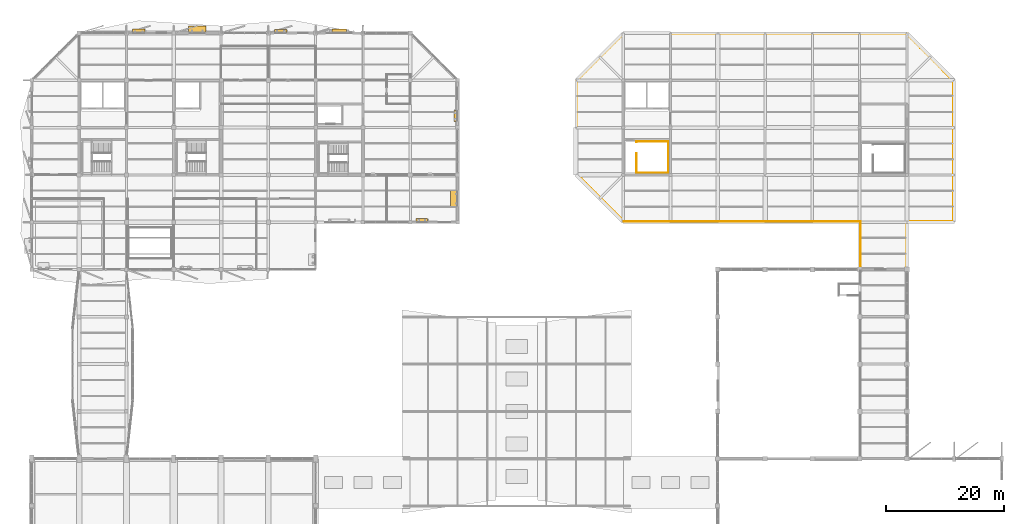
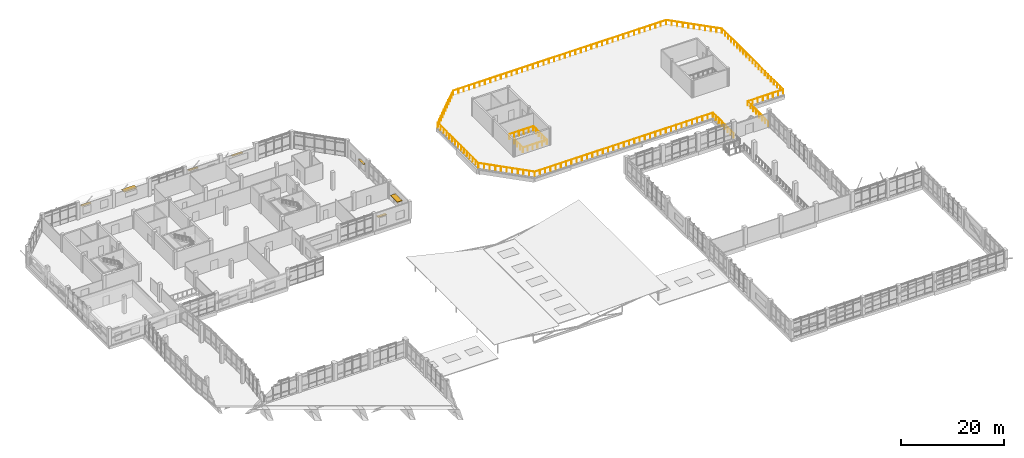
# One storey, part 83 of 84: 7 shading devices, 4 railings.
"""IFC4 building model written with IfcOpenShell, lengths in metres."""

from ifc_helpers import new_model, si_unit, direction, frame, origin, origin_2d, place, context, subcontext, project, spatial, rectangle, circle, extrude, material, layer, layer_set, type_object, element, save


model = new_model("IFC4")

# Units and contexts
model_context = context("Model", 3, precision=1e-05, world=origin(), true_north=direction((0.0, 1.0)))
body_context = subcontext(model_context, "Body", "Model", "MODEL_VIEW")
ifc_project = project(units=[si_unit("LENGTHUNIT", "METRE"), si_unit("AREAUNIT", "SQUARE_METRE"), si_unit("VOLUMEUNIT", "CUBIC_METRE"), si_unit("PLANEANGLEUNIT", "RADIAN"), si_unit("MASSUNIT", "GRAM", prefix="KILO")], contexts=[model_context])

# Site, building, storey
site_placement = place(None, origin())
site = spatial("IfcSite", under=ifc_project, at=site_placement, CompositionType="ELEMENT")
building_placement = place(site_placement, origin())
building = spatial("IfcBuilding", under=site, at=building_placement, Name="Tenunan Teduh Sports Hall", CompositionType="ELEMENT")
storey_placement = place(building_placement, frame((0.0, 0.0, 10.800048828125)))
storey = spatial("IfcBuildingStorey", under=building, at=storey_placement, Name="L02", CompositionType="ELEMENT", Elevation=10.800048828125)

# Railings
ifc_material_1 = material(Name="Galvanised and powder-coated steel", Category="steel")
ifc_layer = layer(ifc_material_1, 0.070068359375)
ifc_layer_set = layer_set([ifc_layer], Name="Galvanised and powder-coated steel")
railing_type = type_object("IfcRailingType", Name="RLG-EXT-GRD", PredefinedType="GUARDRAIL", material=ifc_layer_set)
railing_1_placement = place(storey_placement, frame((106.139892578125, 86.139892578125, 0.0)))
element("IfcRailing", 1, at=railing_1_placement, inside=storey, type_object=railing_type, Name="RLG-L02-V5E-TERR-1", PredefinedType="GUARDRAIL", context=body_context, shape_type="SweptSolid", body=[
    extrude(circle(Radius=0.02392578125, at=origin_2d()), frame((0.0, 0.0, 1.09619140625), z_axis=(1.0, 0.0, 0.0), x_axis=(0.0, 1.0, 0.0)), (0.0, 0.0, 1.0), 39.980224609375),
    extrude(circle(Radius=0.02392578125, at=origin_2d()), frame((39.980224609375, 0.0, 1.09619140625), z_axis=(0.0, -1.0, 0.0), x_axis=(1.0, 0.0, 0.0)), (0.0, 0.0, 1.0), 8.0),
    extrude(circle(Radius=0.02099609375, at=origin_2d()), origin(), (0.0, 0.0, 1.0), 1.072021484375),
    extrude(circle(Radius=0.02099609375, at=origin_2d()), frame((1.17578125, 0.0, 0.0)), (0.0, 0.0, 1.0), 1.072021484375),
    extrude(circle(Radius=0.02099609375, at=origin_2d()), frame((2.351806640625, 0.0, 0.0)), (0.0, 0.0, 1.0), 1.072021484375),
    extrude(circle(Radius=0.02099609375, at=origin_2d()), frame((3.527587890625, 0.0, 0.0)), (0.0, 0.0, 1.0), 1.072021484375),
    extrude(circle(Radius=0.02099609375, at=origin_2d()), frame((4.70361328125, 0.0, 0.0)), (0.0, 0.0, 1.0), 1.072021484375),
    extrude(circle(Radius=0.02099609375, at=origin_2d()), frame((5.87939453125, 0.0, 0.0)), (0.0, 0.0, 1.0), 1.072021484375),
    extrude(circle(Radius=0.02099609375, at=origin_2d()), frame((7.055419921875, 0.0, 0.0)), (0.0, 0.0, 1.0), 1.072021484375),
    extrude(circle(Radius=0.02099609375, at=origin_2d()), frame((8.231201171875, 0.0, 0.0)), (0.0, 0.0, 1.0), 1.072021484375),
    extrude(circle(Radius=0.02099609375, at=origin_2d()), frame((9.4072265625, 0.0, 0.0)), (0.0, 0.0, 1.0), 1.072021484375),
    extrude(circle(Radius=0.02099609375, at=origin_2d()), frame((10.5830078125, 0.0, 0.0)), (0.0, 0.0, 1.0), 1.072021484375),
    extrude(circle(Radius=0.02099609375, at=origin_2d()), frame((11.7587890625, 0.0, 0.0)), (0.0, 0.0, 1.0), 1.072021484375),
    extrude(circle(Radius=0.02099609375, at=origin_2d()), frame((12.934814453125, 0.0, 0.0)), (0.0, 0.0, 1.0), 1.072021484375),
    extrude(circle(Radius=0.02099609375, at=origin_2d()), frame((14.110595703125, 0.0, 0.0)), (0.0, 0.0, 1.0), 1.072021484375),
    extrude(circle(Radius=0.02099609375, at=origin_2d()), frame((15.28662109375, 0.0, 0.0)), (0.0, 0.0, 1.0), 1.072021484375),
    extrude(circle(Radius=0.02099609375, at=origin_2d()), frame((16.46240234375, 0.0, 0.0)), (0.0, 0.0, 1.0), 1.072021484375),
    extrude(circle(Radius=0.02099609375, at=origin_2d()), frame((17.638427734375, 0.0, 0.0)), (0.0, 0.0, 1.0), 1.072021484375),
    extrude(circle(Radius=0.02099609375, at=origin_2d()), frame((18.814208984375, 0.0, 0.0)), (0.0, 0.0, 1.0), 1.072021484375),
    extrude(circle(Radius=0.02099609375, at=origin_2d()), frame((19.990234375, 0.0, 0.0)), (0.0, 0.0, 1.0), 1.072021484375),
    extrude(circle(Radius=0.02099609375, at=origin_2d()), frame((21.166015625, 0.0, 0.0)), (0.0, 0.0, 1.0), 1.072021484375),
    extrude(circle(Radius=0.02099609375, at=origin_2d()), frame((22.341796875, 0.0, 0.0)), (0.0, 0.0, 1.0), 1.072021484375),
    extrude(circle(Radius=0.02099609375, at=origin_2d()), frame((23.517822265625, 0.0, 0.0)), (0.0, 0.0, 1.0), 1.072021484375),
    extrude(circle(Radius=0.02099609375, at=origin_2d()), frame((24.693603515625, 0.0, 0.0)), (0.0, 0.0, 1.0), 1.072021484375),
    extrude(circle(Radius=0.02099609375, at=origin_2d()), frame((25.86962890625, 0.0, 0.0)), (0.0, 0.0, 1.0), 1.072021484375),
    extrude(circle(Radius=0.02099609375, at=origin_2d()), frame((27.04541015625, 0.0, 0.0)), (0.0, 0.0, 1.0), 1.072021484375),
    extrude(circle(Radius=0.02099609375, at=origin_2d()), frame((28.221435546875, 0.0, 0.0)), (0.0, 0.0, 1.0), 1.072021484375),
    extrude(circle(Radius=0.02099609375, at=origin_2d()), frame((29.397216796875, 0.0, 0.0)), (0.0, 0.0, 1.0), 1.072021484375),
    extrude(circle(Radius=0.02099609375, at=origin_2d()), frame((30.572998046875, 0.0, 0.0)), (0.0, 0.0, 1.0), 1.072021484375),
    extrude(circle(Radius=0.02099609375, at=origin_2d()), frame((31.7490234375, 0.0, 0.0)), (0.0, 0.0, 1.0), 1.072021484375),
    extrude(circle(Radius=0.02099609375, at=origin_2d()), frame((32.9248046875, 0.0, 0.0)), (0.0, 0.0, 1.0), 1.072021484375),
    extrude(circle(Radius=0.02099609375, at=origin_2d()), frame((34.100830078125, 0.0, 0.0)), (0.0, 0.0, 1.0), 1.072021484375),
    extrude(circle(Radius=0.02099609375, at=origin_2d()), frame((35.276611328125, 0.0, 0.0)), (0.0, 0.0, 1.0), 1.072021484375),
    extrude(circle(Radius=0.02099609375, at=origin_2d()), frame((36.45263671875, 0.0, 0.0)), (0.0, 0.0, 1.0), 1.072021484375),
    extrude(circle(Radius=0.02099609375, at=origin_2d()), frame((37.62841796875, 0.0, 0.0)), (0.0, 0.0, 1.0), 1.072021484375),
    extrude(circle(Radius=0.02099609375, at=origin_2d()), frame((38.804443359375, 0.0, 0.0)), (0.0, 0.0, 1.0), 1.072021484375),
    extrude(circle(Radius=0.02099609375, at=origin_2d()), frame((39.980224609375, 0.0, 0.0)), (0.0, 0.0, 1.0), 1.072021484375),
    extrude(circle(Radius=0.02099609375, at=origin_2d()), frame((39.980224609375, -1.142822265625, 0.0)), (0.0, 0.0, 1.0), 1.072021484375),
    extrude(circle(Radius=0.02099609375, at=origin_2d()), frame((39.980224609375, -2.28564453125, 0.0)), (0.0, 0.0, 1.0), 1.072021484375),
    extrude(circle(Radius=0.02099609375, at=origin_2d()), frame((39.980224609375, -3.428466796875, 0.0)), (0.0, 0.0, 1.0), 1.072021484375),
    extrude(circle(Radius=0.02099609375, at=origin_2d()), frame((39.980224609375, -4.571533203125, 0.0)), (0.0, 0.0, 1.0), 1.072021484375),
    extrude(circle(Radius=0.02099609375, at=origin_2d()), frame((39.980224609375, -5.71435546875, 0.0)), (0.0, 0.0, 1.0), 1.072021484375),
    extrude(circle(Radius=0.02099609375, at=origin_2d()), frame((39.980224609375, -6.857177734375, 0.0)), (0.0, 0.0, 1.0), 1.072021484375),
    extrude(circle(Radius=0.02099609375, at=origin_2d()), frame((39.980224609375, -8.0, 0.0)), (0.0, 0.0, 1.0), 1.072021484375),
])
railing_2_placement = place(storey_placement, frame((153.8798828125, 78.139892578125, 0.0)))
element("IfcRailing", 2, at=railing_2_placement, inside=storey, type_object=railing_type, Name="RLG-L02-V5E-TERR-2", PredefinedType="GUARDRAIL", context=body_context, shape_type="SweptSolid", body=[
    extrude(circle(Radius=0.02392578125, at=origin_2d()), frame((0.0, 0.0, 1.09619140625), z_axis=(0.0, 1.0, 0.0), x_axis=(-1.0, 0.0, 0.0)), (0.0, 0.0, 1.0), 8.0),
    extrude(circle(Radius=0.02392578125, at=origin_2d()), frame((0.0, 8.0, 1.09619140625), z_axis=(1.0, 0.0, 0.0), x_axis=(0.0, 1.0, 0.0)), (0.0, 0.0, 1.0), 7.980224609375),
    extrude(circle(Radius=0.02392578125, at=origin_2d()), frame((7.980224609375, 8.0, 1.09619140625), z_axis=(0.0, 1.0, 0.0), x_axis=(-1.0, 0.0, 0.0)), (0.0, 0.0, 1.0), 23.760009765625),
    extrude(circle(Radius=0.02392578125, at=origin_2d()), frame((7.980224609375, 31.760009765625, 1.09619140625), z_axis=(-0.707106781187, 0.707106781187, 0.0), x_axis=(-0.707106781187, -0.707106781187, 0.0)), (0.0, 0.0, 1.0), 11.25732421875),
    extrude(circle(Radius=0.02392578125, at=origin_2d()), frame((0.02001953125, 39.72021484375, 1.09619140625), z_axis=(-1.0, 0.0, 0.0), x_axis=(0.0, -1.0, 0.0)), (0.0, 0.0, 1.0), 47.760009765625),
    extrude(circle(Radius=0.02392578125, at=origin_2d()), frame((-47.739990234375, 39.72021484375, 1.09619140625), z_axis=(-0.708867666506, -0.70534149983, 0.0), x_axis=(0.70534149983, -0.708867666506, 0.0)), (0.0, 0.0, 1.0), 11.28564453125),
    extrude(circle(Radius=0.02392578125, at=origin_2d()), frame((-55.739990234375, 31.760009765625, 1.09619140625), z_axis=(0.0, -1.0, 0.0), x_axis=(1.0, 0.0, 0.0)), (0.0, 0.0, 1.0), 15.760009765625),
    extrude(circle(Radius=0.02392578125, at=origin_2d()), frame((-55.739990234375, 16.0, 1.09619140625), z_axis=(0.707106781187, -0.707106781187, 0.0), x_axis=(0.707106781187, 0.707106781187, 0.0)), (0.0, 0.0, 1.0), 11.313720703125),
    extrude(circle(Radius=0.02099609375, at=origin_2d()), origin(), (0.0, 0.0, 1.0), 1.072021484375),
    extrude(circle(Radius=0.02099609375, at=origin_2d()), frame((0.0, 1.142822265625, 0.0)), (0.0, 0.0, 1.0), 1.072021484375),
    extrude(circle(Radius=0.02099609375, at=origin_2d()), frame((0.0, 2.28564453125, 0.0)), (0.0, 0.0, 1.0), 1.072021484375),
    extrude(circle(Radius=0.02099609375, at=origin_2d()), frame((0.0, 3.428466796875, 0.0)), (0.0, 0.0, 1.0), 1.072021484375),
    extrude(circle(Radius=0.02099609375, at=origin_2d()), frame((0.0, 4.571533203125, 0.0)), (0.0, 0.0, 1.0), 1.072021484375),
    extrude(circle(Radius=0.02099609375, at=origin_2d()), frame((0.0, 5.71435546875, 0.0)), (0.0, 0.0, 1.0), 1.072021484375),
    extrude(circle(Radius=0.02099609375, at=origin_2d()), frame((0.0, 6.857177734375, 0.0)), (0.0, 0.0, 1.0), 1.072021484375),
    extrude(circle(Radius=0.02099609375, at=origin_2d()), frame((0.0, 8.0, 0.0)), (0.0, 0.0, 1.0), 1.072021484375),
    extrude(circle(Radius=0.02099609375, at=origin_2d()), frame((1.14013671875, 8.0, 0.0)), (0.0, 0.0, 1.0), 1.072021484375),
    extrude(circle(Radius=0.02099609375, at=origin_2d()), frame((2.280029296875, 8.0, 0.0)), (0.0, 0.0, 1.0), 1.072021484375),
    extrude(circle(Radius=0.02099609375, at=origin_2d()), frame((3.420166015625, 8.0, 0.0)), (0.0, 0.0, 1.0), 1.072021484375),
    extrude(circle(Radius=0.02099609375, at=origin_2d()), frame((4.56005859375, 8.0, 0.0)), (0.0, 0.0, 1.0), 1.072021484375),
    extrude(circle(Radius=0.02099609375, at=origin_2d()), frame((5.7001953125, 8.0, 0.0)), (0.0, 0.0, 1.0), 1.072021484375),
    extrude(circle(Radius=0.02099609375, at=origin_2d()), frame((6.840087890625, 8.0, 0.0)), (0.0, 0.0, 1.0), 1.072021484375),
    extrude(circle(Radius=0.02099609375, at=origin_2d()), frame((7.980224609375, 8.0, 0.0)), (0.0, 0.0, 1.0), 1.072021484375),
    extrude(circle(Radius=0.02099609375, at=origin_2d()), frame((7.980224609375, 9.18798828125, 0.0)), (0.0, 0.0, 1.0), 1.072021484375),
    extrude(circle(Radius=0.02099609375, at=origin_2d()), frame((7.980224609375, 10.3759765625, 0.0)), (0.0, 0.0, 1.0), 1.072021484375),
    extrude(circle(Radius=0.02099609375, at=origin_2d()), frame((7.980224609375, 11.56396484375, 0.0)), (0.0, 0.0, 1.0), 1.072021484375),
    extrude(circle(Radius=0.02099609375, at=origin_2d()), frame((7.980224609375, 12.751953125, 0.0)), (0.0, 0.0, 1.0), 1.072021484375),
    extrude(circle(Radius=0.02099609375, at=origin_2d()), frame((7.980224609375, 13.93994140625, 0.0)), (0.0, 0.0, 1.0), 1.072021484375),
    extrude(circle(Radius=0.02099609375, at=origin_2d()), frame((7.980224609375, 15.1279296875, 0.0)), (0.0, 0.0, 1.0), 1.072021484375),
    extrude(circle(Radius=0.02099609375, at=origin_2d()), frame((7.980224609375, 16.31591796875, 0.0)), (0.0, 0.0, 1.0), 1.072021484375),
    extrude(circle(Radius=0.02099609375, at=origin_2d()), frame((7.980224609375, 17.50390625, 0.0)), (0.0, 0.0, 1.0), 1.072021484375),
    extrude(circle(Radius=0.02099609375, at=origin_2d()), frame((7.980224609375, 18.69189453125, 0.0)), (0.0, 0.0, 1.0), 1.072021484375),
    extrude(circle(Radius=0.02099609375, at=origin_2d()), frame((7.980224609375, 19.8798828125, 0.0)), (0.0, 0.0, 1.0), 1.072021484375),
    extrude(circle(Radius=0.02099609375, at=origin_2d()), frame((7.980224609375, 21.068115234375, 0.0)), (0.0, 0.0, 1.0), 1.072021484375),
    extrude(circle(Radius=0.02099609375, at=origin_2d()), frame((7.980224609375, 22.256103515625, 0.0)), (0.0, 0.0, 1.0), 1.072021484375),
    extrude(circle(Radius=0.02099609375, at=origin_2d()), frame((7.980224609375, 23.444091796875, 0.0)), (0.0, 0.0, 1.0), 1.072021484375),
    extrude(circle(Radius=0.02099609375, at=origin_2d()), frame((7.980224609375, 24.632080078125, 0.0)), (0.0, 0.0, 1.0), 1.072021484375),
    extrude(circle(Radius=0.02099609375, at=origin_2d()), frame((7.980224609375, 25.820068359375, 0.0)), (0.0, 0.0, 1.0), 1.072021484375),
    extrude(circle(Radius=0.02099609375, at=origin_2d()), frame((7.980224609375, 27.008056640625, 0.0)), (0.0, 0.0, 1.0), 1.072021484375),
    extrude(circle(Radius=0.02099609375, at=origin_2d()), frame((7.980224609375, 28.196044921875, 0.0)), (0.0, 0.0, 1.0), 1.072021484375),
    extrude(circle(Radius=0.02099609375, at=origin_2d()), frame((7.980224609375, 29.384033203125, 0.0)), (0.0, 0.0, 1.0), 1.072021484375),
    extrude(circle(Radius=0.02099609375, at=origin_2d()), frame((7.980224609375, 30.572021484375, 0.0)), (0.0, 0.0, 1.0), 1.072021484375),
    extrude(circle(Radius=0.02099609375, at=origin_2d()), frame((7.980224609375, 31.760009765625, 0.0)), (0.0, 0.0, 1.0), 1.072021484375),
    extrude(circle(Radius=0.02099609375, at=origin_2d()), frame((7.18408203125, 32.55615234375, 0.0)), (0.0, 0.0, 1.0), 1.072021484375),
    extrude(circle(Radius=0.02099609375, at=origin_2d()), frame((6.38818359375, 33.35205078125, 0.0)), (0.0, 0.0, 1.0), 1.072021484375),
    extrude(circle(Radius=0.02099609375, at=origin_2d()), frame((5.59228515625, 34.14794921875, 0.0)), (0.0, 0.0, 1.0), 1.072021484375),
    extrude(circle(Radius=0.02099609375, at=origin_2d()), frame((4.796142578125, 34.944091796875, 0.0)), (0.0, 0.0, 1.0), 1.072021484375),
    extrude(circle(Radius=0.02099609375, at=origin_2d()), frame((4.0, 35.740234375, 0.0)), (0.0, 0.0, 1.0), 1.072021484375),
    extrude(circle(Radius=0.02099609375, at=origin_2d()), frame((3.2041015625, 36.5361328125, 0.0)), (0.0, 0.0, 1.0), 1.072021484375),
    extrude(circle(Radius=0.02099609375, at=origin_2d()), frame((2.408203125, 37.33203125, 0.0)), (0.0, 0.0, 1.0), 1.072021484375),
    extrude(circle(Radius=0.02099609375, at=origin_2d()), frame((1.612060546875, 38.128173828125, 0.0)), (0.0, 0.0, 1.0), 1.072021484375),
    extrude(circle(Radius=0.02099609375, at=origin_2d()), frame((0.81591796875, 38.92431640625, 0.0)), (0.0, 0.0, 1.0), 1.072021484375),
    extrude(circle(Radius=0.02099609375, at=origin_2d()), frame((0.02001953125, 39.72021484375, 0.0)), (0.0, 0.0, 1.0), 1.072021484375),
    extrude(circle(Radius=0.02099609375, at=origin_2d()), frame((-1.174072265625, 39.72021484375, 0.0)), (0.0, 0.0, 1.0), 1.072021484375),
    extrude(circle(Radius=0.02099609375, at=origin_2d()), frame((-2.367919921875, 39.72021484375, 0.0)), (0.0, 0.0, 1.0), 1.072021484375),
    extrude(circle(Radius=0.02099609375, at=origin_2d()), frame((-3.56201171875, 39.72021484375, 0.0)), (0.0, 0.0, 1.0), 1.072021484375),
    extrude(circle(Radius=0.02099609375, at=origin_2d()), frame((-4.755859375, 39.72021484375, 0.0)), (0.0, 0.0, 1.0), 1.072021484375),
    extrude(circle(Radius=0.02099609375, at=origin_2d()), frame((-5.949951171875, 39.72021484375, 0.0)), (0.0, 0.0, 1.0), 1.072021484375),
    extrude(circle(Radius=0.02099609375, at=origin_2d()), frame((-7.14404296875, 39.72021484375, 0.0)), (0.0, 0.0, 1.0), 1.072021484375),
    extrude(circle(Radius=0.02099609375, at=origin_2d()), frame((-8.337890625, 39.72021484375, 0.0)), (0.0, 0.0, 1.0), 1.072021484375),
    extrude(circle(Radius=0.02099609375, at=origin_2d()), frame((-9.531982421875, 39.72021484375, 0.0)), (0.0, 0.0, 1.0), 1.072021484375),
    extrude(circle(Radius=0.02099609375, at=origin_2d()), frame((-10.72607421875, 39.72021484375, 0.0)), (0.0, 0.0, 1.0), 1.072021484375),
    extrude(circle(Radius=0.02099609375, at=origin_2d()), frame((-11.919921875, 39.72021484375, 0.0)), (0.0, 0.0, 1.0), 1.072021484375),
    extrude(circle(Radius=0.02099609375, at=origin_2d()), frame((-13.114013671875, 39.72021484375, 0.0)), (0.0, 0.0, 1.0), 1.072021484375),
    extrude(circle(Radius=0.02099609375, at=origin_2d()), frame((-14.30810546875, 39.72021484375, 0.0)), (0.0, 0.0, 1.0), 1.072021484375),
    extrude(circle(Radius=0.02099609375, at=origin_2d()), frame((-15.501953125, 39.72021484375, 0.0)), (0.0, 0.0, 1.0), 1.072021484375),
    extrude(circle(Radius=0.02099609375, at=origin_2d()), frame((-16.696044921875, 39.72021484375, 0.0)), (0.0, 0.0, 1.0), 1.072021484375),
    extrude(circle(Radius=0.02099609375, at=origin_2d()), frame((-17.889892578125, 39.72021484375, 0.0)), (0.0, 0.0, 1.0), 1.072021484375),
    extrude(circle(Radius=0.02099609375, at=origin_2d()), frame((-19.083984375, 39.72021484375, 0.0)), (0.0, 0.0, 1.0), 1.072021484375),
    extrude(circle(Radius=0.02099609375, at=origin_2d()), frame((-20.278076171875, 39.72021484375, 0.0)), (0.0, 0.0, 1.0), 1.072021484375),
    extrude(circle(Radius=0.02099609375, at=origin_2d()), frame((-21.471923828125, 39.72021484375, 0.0)), (0.0, 0.0, 1.0), 1.072021484375),
    extrude(circle(Radius=0.02099609375, at=origin_2d()), frame((-22.666015625, 39.72021484375, 0.0)), (0.0, 0.0, 1.0), 1.072021484375),
    extrude(circle(Radius=0.02099609375, at=origin_2d()), frame((-23.85986328125, 39.72021484375, 0.0)), (0.0, 0.0, 1.0), 1.072021484375),
    extrude(circle(Radius=0.02099609375, at=origin_2d()), frame((-25.053955078125, 39.72021484375, 0.0)), (0.0, 0.0, 1.0), 1.072021484375),
    extrude(circle(Radius=0.02099609375, at=origin_2d()), frame((-26.248046875, 39.72021484375, 0.0)), (0.0, 0.0, 1.0), 1.072021484375),
    extrude(circle(Radius=0.02099609375, at=origin_2d()), frame((-27.44189453125, 39.72021484375, 0.0)), (0.0, 0.0, 1.0), 1.072021484375),
    extrude(circle(Radius=0.02099609375, at=origin_2d()), frame((-28.635986328125, 39.72021484375, 0.0)), (0.0, 0.0, 1.0), 1.072021484375),
    extrude(circle(Radius=0.02099609375, at=origin_2d()), frame((-29.830078125, 39.72021484375, 0.0)), (0.0, 0.0, 1.0), 1.072021484375),
    extrude(circle(Radius=0.02099609375, at=origin_2d()), frame((-31.02392578125, 39.72021484375, 0.0)), (0.0, 0.0, 1.0), 1.072021484375),
    extrude(circle(Radius=0.02099609375, at=origin_2d()), frame((-32.218017578125, 39.72021484375, 0.0)), (0.0, 0.0, 1.0), 1.072021484375),
    extrude(circle(Radius=0.02099609375, at=origin_2d()), frame((-33.412109375, 39.72021484375, 0.0)), (0.0, 0.0, 1.0), 1.072021484375),
    extrude(circle(Radius=0.02099609375, at=origin_2d()), frame((-34.60595703125, 39.72021484375, 0.0)), (0.0, 0.0, 1.0), 1.072021484375),
    extrude(circle(Radius=0.02099609375, at=origin_2d()), frame((-35.800048828125, 39.72021484375, 0.0)), (0.0, 0.0, 1.0), 1.072021484375),
    extrude(circle(Radius=0.02099609375, at=origin_2d()), frame((-36.993896484375, 39.72021484375, 0.0)), (0.0, 0.0, 1.0), 1.072021484375),
    extrude(circle(Radius=0.02099609375, at=origin_2d()), frame((-38.18798828125, 39.72021484375, 0.0)), (0.0, 0.0, 1.0), 1.072021484375),
    extrude(circle(Radius=0.02099609375, at=origin_2d()), frame((-39.382080078125, 39.72021484375, 0.0)), (0.0, 0.0, 1.0), 1.072021484375),
    extrude(circle(Radius=0.02099609375, at=origin_2d()), frame((-40.575927734375, 39.72021484375, 0.0)), (0.0, 0.0, 1.0), 1.072021484375),
    extrude(circle(Radius=0.02099609375, at=origin_2d()), frame((-41.77001953125, 39.72021484375, 0.0)), (0.0, 0.0, 1.0), 1.072021484375),
    extrude(circle(Radius=0.02099609375, at=origin_2d()), frame((-42.9638671875, 39.72021484375, 0.0)), (0.0, 0.0, 1.0), 1.072021484375),
    extrude(circle(Radius=0.02099609375, at=origin_2d()), frame((-44.157958984375, 39.72021484375, 0.0)), (0.0, 0.0, 1.0), 1.072021484375),
    extrude(circle(Radius=0.02099609375, at=origin_2d()), frame((-45.35205078125, 39.72021484375, 0.0)), (0.0, 0.0, 1.0), 1.072021484375),
    extrude(circle(Radius=0.02099609375, at=origin_2d()), frame((-46.5458984375, 39.72021484375, 0.0)), (0.0, 0.0, 1.0), 1.072021484375),
    extrude(circle(Radius=0.02099609375, at=origin_2d()), frame((-47.739990234375, 39.72021484375, 0.0)), (0.0, 0.0, 1.0), 1.072021484375),
    extrude(circle(Radius=0.02099609375, at=origin_2d()), frame((-48.5400390625, 38.92431640625, 0.0)), (0.0, 0.0, 1.0), 1.072021484375),
    extrude(circle(Radius=0.02099609375, at=origin_2d()), frame((-49.340087890625, 38.128173828125, 0.0)), (0.0, 0.0, 1.0), 1.072021484375),
    extrude(circle(Radius=0.02099609375, at=origin_2d()), frame((-50.139892578125, 37.33203125, 0.0)), (0.0, 0.0, 1.0), 1.072021484375),
    extrude(circle(Radius=0.02099609375, at=origin_2d()), frame((-50.93994140625, 36.5361328125, 0.0)), (0.0, 0.0, 1.0), 1.072021484375),
    extrude(circle(Radius=0.02099609375, at=origin_2d()), frame((-51.739990234375, 35.740234375, 0.0)), (0.0, 0.0, 1.0), 1.072021484375),
    extrude(circle(Radius=0.02099609375, at=origin_2d()), frame((-52.5400390625, 34.944091796875, 0.0)), (0.0, 0.0, 1.0), 1.072021484375),
    extrude(circle(Radius=0.02099609375, at=origin_2d()), frame((-53.340087890625, 34.14794921875, 0.0)), (0.0, 0.0, 1.0), 1.072021484375),
    extrude(circle(Radius=0.02099609375, at=origin_2d()), frame((-54.139892578125, 33.35205078125, 0.0)), (0.0, 0.0, 1.0), 1.072021484375),
    extrude(circle(Radius=0.02099609375, at=origin_2d()), frame((-54.93994140625, 32.55615234375, 0.0)), (0.0, 0.0, 1.0), 1.072021484375),
    extrude(circle(Radius=0.02099609375, at=origin_2d()), frame((-55.739990234375, 31.760009765625, 0.0)), (0.0, 0.0, 1.0), 1.072021484375),
    extrude(circle(Radius=0.02099609375, at=origin_2d()), frame((-55.739990234375, 30.63427734375, 0.0)), (0.0, 0.0, 1.0), 1.072021484375),
    extrude(circle(Radius=0.02099609375, at=origin_2d()), frame((-55.739990234375, 29.508544921875, 0.0)), (0.0, 0.0, 1.0), 1.072021484375),
    extrude(circle(Radius=0.02099609375, at=origin_2d()), frame((-55.739990234375, 28.3828125, 0.0)), (0.0, 0.0, 1.0), 1.072021484375),
    extrude(circle(Radius=0.02099609375, at=origin_2d()), frame((-55.739990234375, 27.257080078125, 0.0)), (0.0, 0.0, 1.0), 1.072021484375),
    extrude(circle(Radius=0.02099609375, at=origin_2d()), frame((-55.739990234375, 26.13134765625, 0.0)), (0.0, 0.0, 1.0), 1.072021484375),
    extrude(circle(Radius=0.02099609375, at=origin_2d()), frame((-55.739990234375, 25.005615234375, 0.0)), (0.0, 0.0, 1.0), 1.072021484375),
    extrude(circle(Radius=0.02099609375, at=origin_2d()), frame((-55.739990234375, 23.8798828125, 0.0)), (0.0, 0.0, 1.0), 1.072021484375),
    extrude(circle(Radius=0.02099609375, at=origin_2d()), frame((-55.739990234375, 22.75439453125, 0.0)), (0.0, 0.0, 1.0), 1.072021484375),
    extrude(circle(Radius=0.02099609375, at=origin_2d()), frame((-55.739990234375, 21.628662109375, 0.0)), (0.0, 0.0, 1.0), 1.072021484375),
    extrude(circle(Radius=0.02099609375, at=origin_2d()), frame((-55.739990234375, 20.5029296875, 0.0)), (0.0, 0.0, 1.0), 1.072021484375),
    extrude(circle(Radius=0.02099609375, at=origin_2d()), frame((-55.739990234375, 19.377197265625, 0.0)), (0.0, 0.0, 1.0), 1.072021484375),
    extrude(circle(Radius=0.02099609375, at=origin_2d()), frame((-55.739990234375, 18.25146484375, 0.0)), (0.0, 0.0, 1.0), 1.072021484375),
    extrude(circle(Radius=0.02099609375, at=origin_2d()), frame((-55.739990234375, 17.125732421875, 0.0)), (0.0, 0.0, 1.0), 1.072021484375),
    extrude(circle(Radius=0.02099609375, at=origin_2d()), frame((-55.739990234375, 16.0, 0.0)), (0.0, 0.0, 1.0), 1.072021484375),
    extrude(circle(Radius=0.02099609375, at=origin_2d()), frame((-54.93994140625, 15.199951171875, 0.0)), (0.0, 0.0, 1.0), 1.072021484375),
    extrude(circle(Radius=0.02099609375, at=origin_2d()), frame((-54.139892578125, 14.39990234375, 0.0)), (0.0, 0.0, 1.0), 1.072021484375),
    extrude(circle(Radius=0.02099609375, at=origin_2d()), frame((-53.340087890625, 13.60009765625, 0.0)), (0.0, 0.0, 1.0), 1.072021484375),
    extrude(circle(Radius=0.02099609375, at=origin_2d()), frame((-52.5400390625, 12.800048828125, 0.0)), (0.0, 0.0, 1.0), 1.072021484375),
    extrude(circle(Radius=0.02099609375, at=origin_2d()), frame((-51.739990234375, 12.0, 0.0)), (0.0, 0.0, 1.0), 1.072021484375),
    extrude(circle(Radius=0.02099609375, at=origin_2d()), frame((-50.93994140625, 11.199951171875, 0.0)), (0.0, 0.0, 1.0), 1.072021484375),
    extrude(circle(Radius=0.02099609375, at=origin_2d()), frame((-50.139892578125, 10.39990234375, 0.0)), (0.0, 0.0, 1.0), 1.072021484375),
    extrude(circle(Radius=0.02099609375, at=origin_2d()), frame((-49.340087890625, 9.60009765625, 0.0)), (0.0, 0.0, 1.0), 1.072021484375),
    extrude(circle(Radius=0.02099609375, at=origin_2d()), frame((-48.5400390625, 8.800048828125, 0.0)), (0.0, 0.0, 1.0), 1.072021484375),
    extrude(circle(Radius=0.02099609375, at=origin_2d()), frame((-47.739990234375, 8.0, 0.0)), (0.0, 0.0, 1.0), 1.072021484375),
])
railing_3_placement = place(storey_placement, frame((108.239990234375, 94.360107421875, 0.0)))
element("IfcRailing", 3, at=railing_3_placement, inside=storey, type_object=railing_type, Name="RLG-STW-WLND-E1-L01", PredefinedType="GUARDRAIL", context=body_context, shape_type="SweptSolid", body=[
    extrude(circle(Radius=0.02392578125, at=origin_2d()), frame((0.0, 0.0, 1.09619140625), z_axis=(0.0, 1.0, 0.0), x_axis=(-1.0, 0.0, 0.0)), (0.0, 0.0, 1.0), 3.289794921875),
    extrude(circle(Radius=0.02099609375, at=origin_2d()), origin(), (0.0, 0.0, 1.0), 1.072021484375),
    extrude(circle(Radius=0.02099609375, at=origin_2d()), frame((0.0, 1.0966796875, 0.0)), (0.0, 0.0, 1.0), 1.072021484375),
    extrude(circle(Radius=0.02099609375, at=origin_2d()), frame((0.0, 2.193115234375, 0.0)), (0.0, 0.0, 1.0), 1.072021484375),
    extrude(circle(Radius=0.02099609375, at=origin_2d()), frame((0.0, 3.289794921875, 0.0)), (0.0, 0.0, 1.0), 1.072021484375),
])
railing_4_placement = place(storey_placement, frame((108.239990234375, 94.360107421875, 0.0)))
element("IfcRailing", 4, at=railing_4_placement, inside=storey, type_object=railing_type, Name="RLG-STW-TOP-E1-L02", PredefinedType="GUARDRAIL", context=body_context, shape_type="SweptSolid", body=[
    extrude(circle(Radius=0.02392578125, at=origin_2d()), frame((0.0, 0.0, 1.09619140625), z_axis=(1.0, 0.0, 0.0), x_axis=(0.0, 1.0, 0.0)), (0.0, 0.0, 1.0), 5.39990234375),
    extrude(circle(Radius=0.02392578125, at=origin_2d()), frame((5.39990234375, 0.0, 1.09619140625), z_axis=(0.0, 1.0, 0.0), x_axis=(-1.0, 0.0, 0.0)), (0.0, 0.0, 1.0), 5.27978515625),
    extrude(circle(Radius=0.02392578125, at=origin_2d()), frame((5.39990234375, 5.27978515625, 1.09619140625), z_axis=(-1.0, 0.0, 0.0), x_axis=(0.0, -1.0, 0.0)), (0.0, 0.0, 1.0), 5.39990234375),
    extrude(circle(Radius=0.02392578125, at=origin_2d()), frame((0.0, 5.27978515625, 1.09619140625), z_axis=(0.0, -1.0, 0.0), x_axis=(1.0, 0.0, 0.0)), (0.0, 0.0, 1.0), 0.10986328125),
    extrude(circle(Radius=0.02099609375, at=origin_2d()), origin(), (0.0, 0.0, 1.0), 1.072021484375),
    extrude(circle(Radius=0.02099609375, at=origin_2d()), frame((1.080078125, 0.0, 0.0)), (0.0, 0.0, 1.0), 1.072021484375),
    extrude(circle(Radius=0.02099609375, at=origin_2d()), frame((2.159912109375, 0.0, 0.0)), (0.0, 0.0, 1.0), 1.072021484375),
    extrude(circle(Radius=0.02099609375, at=origin_2d()), frame((3.239990234375, 0.0, 0.0)), (0.0, 0.0, 1.0), 1.072021484375),
    extrude(circle(Radius=0.02099609375, at=origin_2d()), frame((4.31982421875, 0.0, 0.0)), (0.0, 0.0, 1.0), 1.072021484375),
    extrude(circle(Radius=0.02099609375, at=origin_2d()), frame((5.39990234375, 0.0, 0.0)), (0.0, 0.0, 1.0), 1.072021484375),
    extrude(circle(Radius=0.02099609375, at=origin_2d()), frame((5.39990234375, 1.055908203125, 0.0)), (0.0, 0.0, 1.0), 1.072021484375),
    extrude(circle(Radius=0.02099609375, at=origin_2d()), frame((5.39990234375, 2.11181640625, 0.0)), (0.0, 0.0, 1.0), 1.072021484375),
    extrude(circle(Radius=0.02099609375, at=origin_2d()), frame((5.39990234375, 3.16796875, 0.0)), (0.0, 0.0, 1.0), 1.072021484375),
    extrude(circle(Radius=0.02099609375, at=origin_2d()), frame((5.39990234375, 4.223876953125, 0.0)), (0.0, 0.0, 1.0), 1.072021484375),
    extrude(circle(Radius=0.02099609375, at=origin_2d()), frame((5.39990234375, 5.27978515625, 0.0)), (0.0, 0.0, 1.0), 1.072021484375),
    extrude(circle(Radius=0.02099609375, at=origin_2d()), frame((4.31982421875, 5.27978515625, 0.0)), (0.0, 0.0, 1.0), 1.072021484375),
    extrude(circle(Radius=0.02099609375, at=origin_2d()), frame((3.239990234375, 5.27978515625, 0.0)), (0.0, 0.0, 1.0), 1.072021484375),
    extrude(circle(Radius=0.02099609375, at=origin_2d()), frame((2.159912109375, 5.27978515625, 0.0)), (0.0, 0.0, 1.0), 1.072021484375),
    extrude(circle(Radius=0.02099609375, at=origin_2d()), frame((1.080078125, 5.27978515625, 0.0)), (0.0, 0.0, 1.0), 1.072021484375),
    extrude(circle(Radius=0.02099609375, at=origin_2d()), frame((0.0, 5.27978515625, 0.0)), (0.0, 0.0, 1.0), 1.072021484375),
    extrude(circle(Radius=0.02099609375, at=origin_2d()), frame((0.0, 5.169921875, 0.0)), (0.0, 0.0, 1.0), 1.072021484375),
])

# Shading devices
ifc_material_2 = material(Name="Perforated anodised aluminium", Category="aluminium")
shading_device_type_1 = type_object("IfcShadingDeviceType", Name="SHD-LOUVRE-1", PredefinedType="AWNING", material=ifc_material_2)
shading_device_1_placement = place(storey_placement, frame((77.655029296875, 103.97509765625, 2.56982421875), z_axis=(0.0, 0.0, 1.0), x_axis=(0.0, 1.0, 0.0)))
element("IfcShadingDevice", 5, at=shading_device_1_placement, inside=storey, type_object=shading_device_type_1, Name="SHD-L02-045", PredefinedType="AWNING", context=body_context, shape_type="SweptSolid", body=[
    extrude(rectangle(XDim=1.89990234375, YDim=0.449951171875, at=origin_2d()), origin(), (0.0, 0.0, 1.0), 0.080078125),
])
shading_device_2_placement = place(storey_placement, frame((48.074951171875, 118.344970703125, 2.56982421875), z_axis=(0.0, 0.0, 1.0), x_axis=(1.0, 0.0, 0.0)))
element("IfcShadingDevice", 6, at=shading_device_2_placement, inside=storey, type_object=shading_device_type_1, Name="SHD-L02-048", PredefinedType="AWNING", context=body_context, shape_type="SweptSolid", body=[
    extrude(rectangle(XDim=2.10009765625, YDim=0.449951171875, at=origin_2d()), origin(), (0.0, 0.0, 1.0), 0.080078125),
])
ifc_material_3 = material(Name="Perforated anodised aluminium", Category="aluminium")
shading_device_type_2 = type_object("IfcShadingDeviceType", Name="SHD-LOUVRE-2", PredefinedType="SHUTTER", material=ifc_material_3)
shading_device_3_placement = place(storey_placement, frame((71.949951171875, 86.375, 2.56494140625), z_axis=(0.0, 0.0, 1.0), x_axis=(1.0, 0.0, 0.0)))
element("IfcShadingDevice", 7, at=shading_device_3_placement, inside=storey, type_object=shading_device_type_2, Name="SHD-L02-043", PredefinedType="SHUTTER", context=body_context, shape_type="SweptSolid", body=[
    extrude(rectangle(XDim=1.89990234375, YDim=0.550048828125, at=origin_2d()), origin(), (0.0, 0.0, 1.0), 0.090087890625),
])
shading_device_4_placement = place(storey_placement, frame((24.074951171875, 118.375, 2.56494140625), z_axis=(0.0, 0.0, 1.0), x_axis=(1.0, 0.0, 0.0)))
element("IfcShadingDevice", 8, at=shading_device_4_placement, inside=storey, type_object=shading_device_type_2, Name="SHD-L02-046", PredefinedType="SHUTTER", context=body_context, shape_type="SweptSolid", body=[
    extrude(rectangle(XDim=2.10009765625, YDim=0.550048828125, at=origin_2d()), origin(), (0.0, 0.0, 1.0), 0.090087890625),
])
shading_device_5_placement = place(storey_placement, frame((58.0, 118.389892578125, 2.56494140625), z_axis=(0.0, 0.0, 1.0), x_axis=(1.0, 0.0, 0.0)))
element("IfcShadingDevice", 9, at=shading_device_5_placement, inside=storey, type_object=shading_device_type_2, Name="SHD-L02-049", PredefinedType="SHUTTER", context=body_context, shape_type="SweptSolid", body=[
    extrude(rectangle(XDim=2.39990234375, YDim=0.550048828125, at=origin_2d()), origin(), (0.0, 0.0, 1.0), 0.090087890625),
])
ifc_material_4 = material(Name="Perforated anodised aluminium", Category="aluminium")
shading_device_type_3 = type_object("IfcShadingDeviceType", Name="SHD-SUNSHADE-1", PredefinedType="JALOUSIE", material=ifc_material_4)
shading_device_6_placement = place(storey_placement, frame((77.3349609375, 89.97998046875, 2.5498046875), z_axis=(0.0, 0.0, 1.0), x_axis=(0.0, 1.0, 0.0)))
element("IfcShadingDevice", 10, at=shading_device_6_placement, inside=storey, type_object=shading_device_type_3, Name="SHD-L02-044", PredefinedType="JALOUSIE", context=body_context, shape_type="SweptSolid", body=[
    extrude(rectangle(XDim=2.699951171875, YDim=1.10009765625, at=origin_2d()), origin(), (0.0, 0.0, 1.0), 0.1201171875),
])
shading_device_7_placement = place(storey_placement, frame((33.969970703125, 118.6650390625, 2.5498046875), z_axis=(0.0, 0.0, 1.0), x_axis=(1.0, 0.0, 0.0)))
element("IfcShadingDevice", 11, at=shading_device_7_placement, inside=storey, type_object=shading_device_type_3, Name="SHD-L02-047", PredefinedType="JALOUSIE", context=body_context, shape_type="SweptSolid", body=[
    extrude(rectangle(XDim=2.89990234375, YDim=1.10009765625, at=origin_2d()), origin(), (0.0, 0.0, 1.0), 0.1201171875),
])

save(model, "model.ifc")
